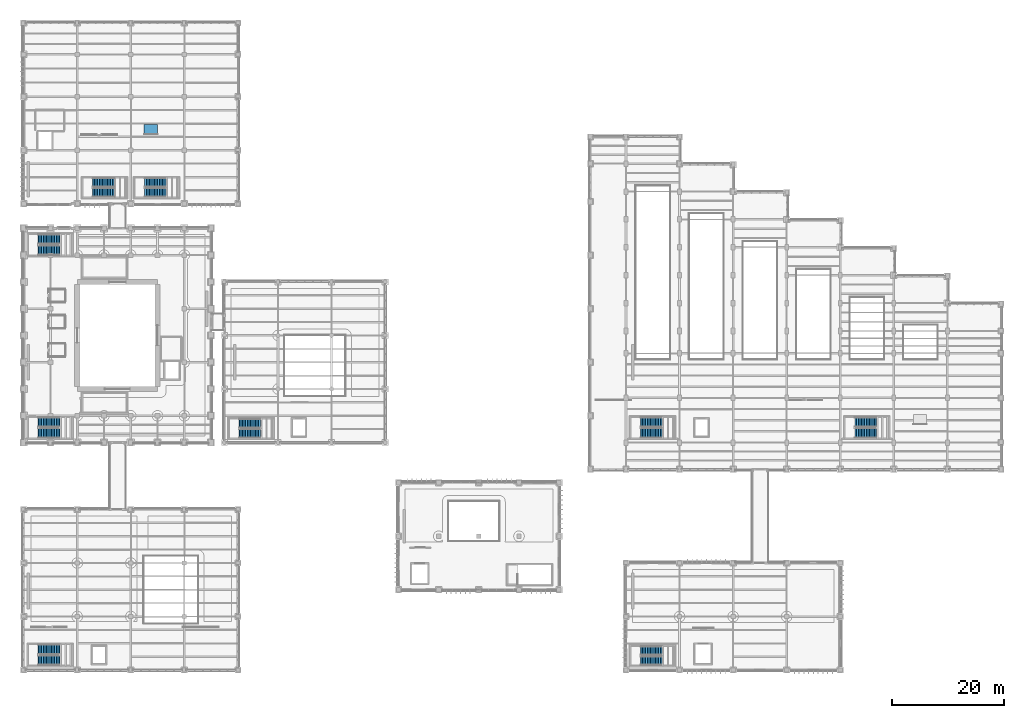
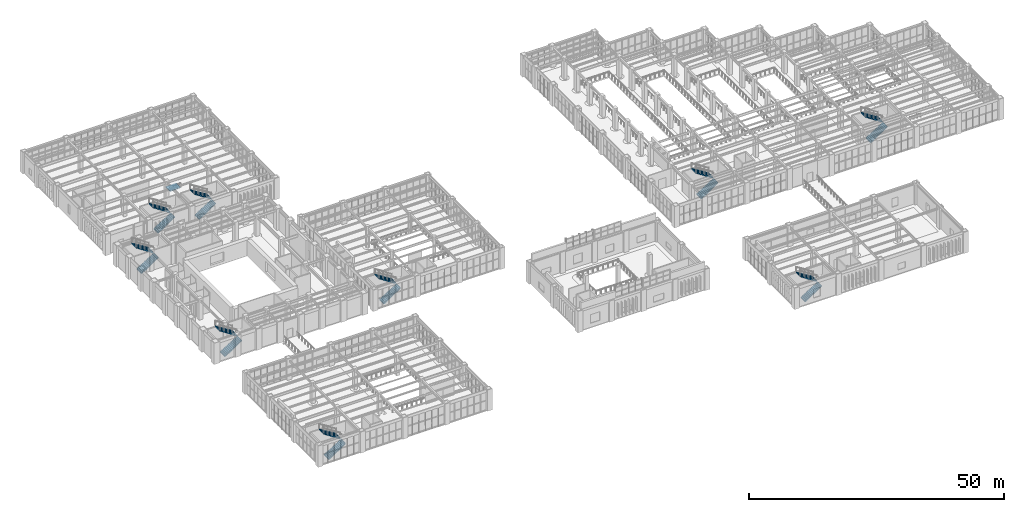
# One storey, part 147 of 174: 18 stair flights, 1 ramp flight, 10 elements without a shape of their own.
"""IFC4 building model written with IfcOpenShell, lengths in metres."""

from ifc_helpers import new_model, si_unit, direction, frame, origin, place, context, subcontext, project, spatial, polyline, outline, extrude, material, layer, layer_set, type_object, element, aggregate, save


model = new_model("IFC4")

# Units and contexts
model_context = context("Model", 3, precision=1e-05, world=origin(), true_north=direction((0.0, 1.0)))
body_context = subcontext(model_context, "Body", "Model", "MODEL_VIEW")
ifc_project = project(units=[si_unit("LENGTHUNIT", "METRE"), si_unit("AREAUNIT", "SQUARE_METRE"), si_unit("VOLUMEUNIT", "CUBIC_METRE"), si_unit("PLANEANGLEUNIT", "RADIAN"), si_unit("MASSUNIT", "GRAM", prefix="KILO")], contexts=[model_context])

# Site, building, storey
site_placement = place(None, origin())
site = spatial("IfcSite", under=ifc_project, at=site_placement, CompositionType="ELEMENT")
building_placement = place(site_placement, origin())
building = spatial("IfcBuilding", under=site, at=building_placement, Name="Mavantir Sound Aquarium", CompositionType="ELEMENT")
storey_placement = place(building_placement, frame((0.0, 0.0, 5.39990234375)))
storey = spatial("IfcBuildingStorey", under=building, at=storey_placement, Name="L01", CompositionType="ELEMENT", Elevation=5.39990234375)

# Stair, stair flights
ifc_material = material(Name="Concrete C40/50", Category="concrete")
stair_type_1 = type_object("IfcStairType", Name="STR-1650-5100", PredefinedType="HALF_TURN_STAIR", material=ifc_material)
stair_1_placement = place(storey_placement, origin())
stair_1 = element("IfcStair", 1, at=stair_1_placement, inside=storey, type_object=stair_type_1, Name="L01 Protected exit stair ST5", PredefinedType="HALF_TURN_STAIR")
stair_flight_type_1 = type_object("IfcStairFlightType", Name="STF-1650-5100", PredefinedType="STRAIGHT", material=ifc_material)
stair_flight_1_placement = place(storey_placement, frame((12.39990234375, 85.625, 0.0), z_axis=(0.0, 0.0, 1.0), x_axis=(1.0, 0.0, 0.0)))
stair_flight_1 = element("IfcStairFlight", 2, at=stair_flight_1_placement, type_object=stair_flight_type_1, Name="ST5 flight 1", NumberOfRisers=14, NumberOfTreads=13, PredefinedType="STRAIGHT", RiserHeight=0.182142857, TreadLength=0.29, context=body_context, shape_type="SweptSolid", body=[
    extrude(outline(polyline([(-0.044921875, -0.139892578125), (-0.044921875, 0.0), (0.0, 0.0), (0.0, 0.18212890625), (0.2900390625, 0.18212890625), (0.2900390625, 0.3642578125), (0.580078125, 0.3642578125), (0.580078125, 0.54638671875), (0.8701171875, 0.54638671875), (0.8701171875, 0.728515625), (1.159912109375, 0.728515625), (1.159912109375, 0.91064453125), (1.449951171875, 0.91064453125), (1.449951171875, 1.0927734375), (1.739990234375, 1.0927734375), (1.739990234375, 1.27490234375), (2.030029296875, 1.27490234375), (2.030029296875, 1.45703125), (2.320068359375, 1.45703125), (2.320068359375, 1.639404296875), (2.610107421875, 1.639404296875), (2.610107421875, 1.821533203125), (2.89990234375, 1.821533203125), (2.89990234375, 2.003662109375), (3.18994140625, 2.003662109375), (3.18994140625, 2.185791015625), (3.47998046875, 2.185791015625), (3.47998046875, 2.367919921875), (3.77001953125, 2.367919921875), (3.77001953125, 2.550048828125), (3.81494140625, 2.550048828125), (3.81494140625, 2.22998046875), (3.77001953125, 2.22998046875), (0.219482421875, -0.139892578125), (-0.044921875, -0.139892578125)])), frame((0.0, 0.824951171875, 0.0), z_axis=(0.0, -1.0, 0.0), x_axis=(1.0, 0.0, 0.0)), (0.0, 0.0, 1.0), 1.64990234375),
])
stair_flight_2_placement = place(storey_placement, frame((16.169921875, 87.425048828125, 2.550048828125), z_axis=(0.0, 0.0, 1.0), x_axis=(-1.0, 0.0, 0.0)))
stair_flight_2 = element("IfcStairFlight", 3, at=stair_flight_2_placement, type_object=stair_flight_type_1, Name="ST5 flight 2", NumberOfRisers=14, NumberOfTreads=13, PredefinedType="STRAIGHT", RiserHeight=0.182142857, TreadLength=0.29, context=body_context, shape_type="SweptSolid", body=[
    extrude(outline(polyline([(-0.044921875, -0.139892578125), (-0.044921875, 0.0), (0.0, 0.0), (0.0, 0.18212890625), (0.2900390625, 0.18212890625), (0.2900390625, 0.3642578125), (0.580078125, 0.3642578125), (0.580078125, 0.54638671875), (0.8701171875, 0.54638671875), (0.8701171875, 0.728515625), (1.159912109375, 0.728515625), (1.159912109375, 0.91064453125), (1.449951171875, 0.91064453125), (1.449951171875, 1.0927734375), (1.739990234375, 1.0927734375), (1.739990234375, 1.27490234375), (2.030029296875, 1.27490234375), (2.030029296875, 1.45703125), (2.320068359375, 1.45703125), (2.320068359375, 1.639404296875), (2.610107421875, 1.639404296875), (2.610107421875, 1.821533203125), (2.89990234375, 1.821533203125), (2.89990234375, 2.003662109375), (3.18994140625, 2.003662109375), (3.18994140625, 2.185791015625), (3.47998046875, 2.185791015625), (3.47998046875, 2.367919921875), (3.77001953125, 2.367919921875), (3.77001953125, 2.550048828125), (3.81494140625, 2.550048828125), (3.81494140625, 2.22998046875), (3.77001953125, 2.22998046875), (0.219482421875, -0.139892578125), (-0.044921875, -0.139892578125)])), frame((0.0, 0.824951171875, 0.0), z_axis=(0.0, -1.0, 0.0), x_axis=(1.0, 0.0, 0.0)), (0.0, 0.0, 1.0), 1.64990234375),
])
aggregate(stair_1, [stair_flight_1, stair_flight_2])

stair_2_placement = place(storey_placement, origin())
stair_2 = element("IfcStair", 4, at=stair_2_placement, inside=storey, type_object=stair_type_1, Name="L01 Protected exit stair ST7", PredefinedType="HALF_TURN_STAIR")
stair_flight_3_placement = place(storey_placement, frame((21.699951171875, 85.625, 0.0), z_axis=(0.0, 0.0, 1.0), x_axis=(1.0, 0.0, 0.0)))
stair_flight_3 = element("IfcStairFlight", 5, at=stair_flight_3_placement, type_object=stair_flight_type_1, Name="ST7 flight 1", NumberOfRisers=14, NumberOfTreads=13, PredefinedType="STRAIGHT", RiserHeight=0.182142857, TreadLength=0.29, context=body_context, shape_type="SweptSolid", body=[
    extrude(outline(polyline([(-0.044921875, -0.139892578125), (-0.044921875, 0.0), (0.0, 0.0), (0.0, 0.18212890625), (0.2900390625, 0.18212890625), (0.2900390625, 0.3642578125), (0.580078125, 0.3642578125), (0.580078125, 0.54638671875), (0.8701171875, 0.54638671875), (0.8701171875, 0.728515625), (1.159912109375, 0.728515625), (1.159912109375, 0.91064453125), (1.449951171875, 0.91064453125), (1.449951171875, 1.0927734375), (1.739990234375, 1.0927734375), (1.739990234375, 1.27490234375), (2.030029296875, 1.27490234375), (2.030029296875, 1.45703125), (2.320068359375, 1.45703125), (2.320068359375, 1.639404296875), (2.610107421875, 1.639404296875), (2.610107421875, 1.821533203125), (2.89990234375, 1.821533203125), (2.89990234375, 2.003662109375), (3.18994140625, 2.003662109375), (3.18994140625, 2.185791015625), (3.47998046875, 2.185791015625), (3.47998046875, 2.367919921875), (3.77001953125, 2.367919921875), (3.77001953125, 2.550048828125), (3.81494140625, 2.550048828125), (3.81494140625, 2.22998046875), (3.77001953125, 2.22998046875), (0.219482421875, -0.139892578125), (-0.044921875, -0.139892578125)])), frame((0.0, 0.824951171875, 0.0), z_axis=(0.0, -1.0, 0.0), x_axis=(1.0, 0.0, 0.0)), (0.0, 0.0, 1.0), 1.64990234375),
])
stair_flight_4_placement = place(storey_placement, frame((25.469970703125, 87.425048828125, 2.550048828125), z_axis=(0.0, 0.0, 1.0), x_axis=(-1.0, 0.0, 0.0)))
stair_flight_4 = element("IfcStairFlight", 6, at=stair_flight_4_placement, type_object=stair_flight_type_1, Name="ST7 flight 2", NumberOfRisers=14, NumberOfTreads=13, PredefinedType="STRAIGHT", RiserHeight=0.182142857, TreadLength=0.29, context=body_context, shape_type="SweptSolid", body=[
    extrude(outline(polyline([(-0.044921875, -0.139892578125), (-0.044921875, 0.0), (0.0, 0.0), (0.0, 0.18212890625), (0.2900390625, 0.18212890625), (0.2900390625, 0.3642578125), (0.580078125, 0.3642578125), (0.580078125, 0.54638671875), (0.8701171875, 0.54638671875), (0.8701171875, 0.728515625), (1.159912109375, 0.728515625), (1.159912109375, 0.91064453125), (1.449951171875, 0.91064453125), (1.449951171875, 1.0927734375), (1.739990234375, 1.0927734375), (1.739990234375, 1.27490234375), (2.030029296875, 1.27490234375), (2.030029296875, 1.45703125), (2.320068359375, 1.45703125), (2.320068359375, 1.639404296875), (2.610107421875, 1.639404296875), (2.610107421875, 1.821533203125), (2.89990234375, 1.821533203125), (2.89990234375, 2.003662109375), (3.18994140625, 2.003662109375), (3.18994140625, 2.185791015625), (3.47998046875, 2.185791015625), (3.47998046875, 2.367919921875), (3.77001953125, 2.367919921875), (3.77001953125, 2.550048828125), (3.81494140625, 2.550048828125), (3.81494140625, 2.22998046875), (3.77001953125, 2.22998046875), (0.219482421875, -0.139892578125), (-0.044921875, -0.139892578125)])), frame((0.0, 0.824951171875, 0.0), z_axis=(0.0, -1.0, 0.0), x_axis=(1.0, 0.0, 0.0)), (0.0, 0.0, 1.0), 1.64990234375),
])
aggregate(stair_2, [stair_flight_3, stair_flight_4])

stair_3_placement = place(storey_placement, origin())
stair_3 = element("IfcStair", 7, at=stair_3_placement, inside=storey, type_object=stair_type_1, Name="L01 Protected exit stair ST6", PredefinedType="HALF_TURN_STAIR")
stair_flight_5_placement = place(storey_placement, frame((110.64990234375, 1.675048828125, 0.0), z_axis=(0.0, 0.0, 1.0), x_axis=(1.0, 0.0, 0.0)))
stair_flight_5 = element("IfcStairFlight", 8, at=stair_flight_5_placement, type_object=stair_flight_type_1, Name="ST6 flight 1", NumberOfRisers=14, NumberOfTreads=13, PredefinedType="STRAIGHT", RiserHeight=0.182142857, TreadLength=0.29, context=body_context, shape_type="SweptSolid", body=[
    extrude(outline(polyline([(-0.044921875, -0.139892578125), (-0.044921875, 0.0), (0.0, 0.0), (0.0, 0.18212890625), (0.2900390625, 0.18212890625), (0.2900390625, 0.3642578125), (0.580078125, 0.3642578125), (0.580078125, 0.54638671875), (0.8701171875, 0.54638671875), (0.8701171875, 0.728515625), (1.159912109375, 0.728515625), (1.159912109375, 0.91064453125), (1.449951171875, 0.91064453125), (1.449951171875, 1.0927734375), (1.739990234375, 1.0927734375), (1.739990234375, 1.27490234375), (2.030029296875, 1.27490234375), (2.030029296875, 1.45703125), (2.320068359375, 1.45703125), (2.320068359375, 1.639404296875), (2.610107421875, 1.639404296875), (2.610107421875, 1.821533203125), (2.89990234375, 1.821533203125), (2.89990234375, 2.003662109375), (3.18994140625, 2.003662109375), (3.18994140625, 2.185791015625), (3.47998046875, 2.185791015625), (3.47998046875, 2.367919921875), (3.77001953125, 2.367919921875), (3.77001953125, 2.550048828125), (3.81494140625, 2.550048828125), (3.81494140625, 2.22998046875), (3.77001953125, 2.22998046875), (0.219482421875, -0.139892578125), (-0.044921875, -0.139892578125)])), frame((0.0, 0.824951171875, 0.0), z_axis=(0.0, -1.0, 0.0), x_axis=(1.0, 0.0, 0.0)), (0.0, 0.0, 1.0), 1.64990234375),
])
stair_flight_6_placement = place(storey_placement, frame((114.419921875, 3.47509765625, 2.550048828125), z_axis=(0.0, 0.0, 1.0), x_axis=(-1.0, 0.0, 0.0)))
stair_flight_6 = element("IfcStairFlight", 9, at=stair_flight_6_placement, type_object=stair_flight_type_1, Name="ST6 flight 2", NumberOfRisers=14, NumberOfTreads=13, PredefinedType="STRAIGHT", RiserHeight=0.182142857, TreadLength=0.29, context=body_context, shape_type="SweptSolid", body=[
    extrude(outline(polyline([(-0.044921875, -0.139892578125), (-0.044921875, 0.0), (0.0, 0.0), (0.0, 0.18212890625), (0.2900390625, 0.18212890625), (0.2900390625, 0.3642578125), (0.580078125, 0.3642578125), (0.580078125, 0.54638671875), (0.8701171875, 0.54638671875), (0.8701171875, 0.728515625), (1.159912109375, 0.728515625), (1.159912109375, 0.91064453125), (1.449951171875, 0.91064453125), (1.449951171875, 1.0927734375), (1.739990234375, 1.0927734375), (1.739990234375, 1.27490234375), (2.030029296875, 1.27490234375), (2.030029296875, 1.45703125), (2.320068359375, 1.45703125), (2.320068359375, 1.639404296875), (2.610107421875, 1.639404296875), (2.610107421875, 1.821533203125), (2.89990234375, 1.821533203125), (2.89990234375, 2.003662109375), (3.18994140625, 2.003662109375), (3.18994140625, 2.185791015625), (3.47998046875, 2.185791015625), (3.47998046875, 2.367919921875), (3.77001953125, 2.367919921875), (3.77001953125, 2.550048828125), (3.81494140625, 2.550048828125), (3.81494140625, 2.22998046875), (3.77001953125, 2.22998046875), (0.219482421875, -0.139892578125), (-0.044921875, -0.139892578125)])), frame((0.0, 0.824951171875, 0.0), z_axis=(0.0, -1.0, 0.0), x_axis=(1.0, 0.0, 0.0)), (0.0, 0.0, 1.0), 1.64990234375),
])
aggregate(stair_3, [stair_flight_5, stair_flight_6])

stair_4_placement = place(storey_placement, origin())
stair_4 = element("IfcStair", 10, at=stair_4_placement, inside=storey, type_object=stair_type_1, Name="L01 Protected exit stair ST8", PredefinedType="HALF_TURN_STAIR")
stair_flight_7_placement = place(storey_placement, frame((38.64990234375, 42.425048828125, 0.0), z_axis=(0.0, 0.0, 1.0), x_axis=(1.0, 0.0, 0.0)))
stair_flight_7 = element("IfcStairFlight", 11, at=stair_flight_7_placement, type_object=stair_flight_type_1, Name="ST8 flight 1", NumberOfRisers=14, NumberOfTreads=13, PredefinedType="STRAIGHT", RiserHeight=0.182142857, TreadLength=0.29, context=body_context, shape_type="SweptSolid", body=[
    extrude(outline(polyline([(-0.044921875, -0.139892578125), (-0.044921875, 0.0), (0.0, 0.0), (0.0, 0.18212890625), (0.2900390625, 0.18212890625), (0.2900390625, 0.3642578125), (0.580078125, 0.3642578125), (0.580078125, 0.54638671875), (0.8701171875, 0.54638671875), (0.8701171875, 0.728515625), (1.159912109375, 0.728515625), (1.159912109375, 0.91064453125), (1.449951171875, 0.91064453125), (1.449951171875, 1.0927734375), (1.739990234375, 1.0927734375), (1.739990234375, 1.27490234375), (2.030029296875, 1.27490234375), (2.030029296875, 1.45703125), (2.320068359375, 1.45703125), (2.320068359375, 1.639404296875), (2.610107421875, 1.639404296875), (2.610107421875, 1.821533203125), (2.89990234375, 1.821533203125), (2.89990234375, 2.003662109375), (3.18994140625, 2.003662109375), (3.18994140625, 2.185791015625), (3.47998046875, 2.185791015625), (3.47998046875, 2.367919921875), (3.77001953125, 2.367919921875), (3.77001953125, 2.550048828125), (3.81494140625, 2.550048828125), (3.81494140625, 2.22998046875), (3.77001953125, 2.22998046875), (0.219482421875, -0.139892578125), (-0.044921875, -0.139892578125)])), frame((0.0, 0.824951171875, 0.0), z_axis=(0.0, -1.0, 0.0), x_axis=(1.0, 0.0, 0.0)), (0.0, 0.0, 1.0), 1.64990234375),
])
stair_flight_8_placement = place(storey_placement, frame((42.419921875, 44.22509765625, 2.550048828125), z_axis=(0.0, 0.0, 1.0), x_axis=(-1.0, 0.0, 0.0)))
stair_flight_8 = element("IfcStairFlight", 12, at=stair_flight_8_placement, type_object=stair_flight_type_1, Name="ST8 flight 2", NumberOfRisers=14, NumberOfTreads=13, PredefinedType="STRAIGHT", RiserHeight=0.182142857, TreadLength=0.29, context=body_context, shape_type="SweptSolid", body=[
    extrude(outline(polyline([(-0.044921875, -0.139892578125), (-0.044921875, 0.0), (0.0, 0.0), (0.0, 0.18212890625), (0.2900390625, 0.18212890625), (0.2900390625, 0.3642578125), (0.580078125, 0.3642578125), (0.580078125, 0.54638671875), (0.8701171875, 0.54638671875), (0.8701171875, 0.728515625), (1.159912109375, 0.728515625), (1.159912109375, 0.91064453125), (1.449951171875, 0.91064453125), (1.449951171875, 1.0927734375), (1.739990234375, 1.0927734375), (1.739990234375, 1.27490234375), (2.030029296875, 1.27490234375), (2.030029296875, 1.45703125), (2.320068359375, 1.45703125), (2.320068359375, 1.639404296875), (2.610107421875, 1.639404296875), (2.610107421875, 1.821533203125), (2.89990234375, 1.821533203125), (2.89990234375, 2.003662109375), (3.18994140625, 2.003662109375), (3.18994140625, 2.185791015625), (3.47998046875, 2.185791015625), (3.47998046875, 2.367919921875), (3.77001953125, 2.367919921875), (3.77001953125, 2.550048828125), (3.81494140625, 2.550048828125), (3.81494140625, 2.22998046875), (3.77001953125, 2.22998046875), (0.219482421875, -0.139892578125), (-0.044921875, -0.139892578125)])), frame((0.0, 0.824951171875, 0.0), z_axis=(0.0, -1.0, 0.0), x_axis=(1.0, 0.0, 0.0)), (0.0, 0.0, 1.0), 1.64990234375),
])
aggregate(stair_4, [stair_flight_7, stair_flight_8])

stair_type_2 = type_object("IfcStairType", Name="STR-1800-5100", PredefinedType="HALF_TURN_STAIR", material=ifc_material)
stair_5_placement = place(storey_placement, origin())
stair_5 = element("IfcStair", 13, at=stair_5_placement, inside=storey, type_object=stair_type_2, Name="L01 Protected exit stair ST1", PredefinedType="HALF_TURN_STAIR")
stair_flight_type_2 = type_object("IfcStairFlightType", Name="STF-1800-5100", PredefinedType="STRAIGHT", material=ifc_material)
stair_flight_9_placement = place(storey_placement, frame((2.64990234375, 42.5, 0.0), z_axis=(0.0, 0.0, 1.0), x_axis=(1.0, 0.0, 0.0)))
stair_flight_9 = element("IfcStairFlight", 14, at=stair_flight_9_placement, type_object=stair_flight_type_2, Name="ST1 flight 1", NumberOfRisers=14, NumberOfTreads=13, PredefinedType="STRAIGHT", RiserHeight=0.182142857, TreadLength=0.29, context=body_context, shape_type="SweptSolid", body=[
    extrude(outline(polyline([(-0.044921875, -0.139892578125), (-0.044921875, 0.0), (0.0, 0.0), (0.0, 0.18212890625), (0.2900390625, 0.18212890625), (0.2900390625, 0.3642578125), (0.580078125, 0.3642578125), (0.580078125, 0.54638671875), (0.8701171875, 0.54638671875), (0.8701171875, 0.728515625), (1.159912109375, 0.728515625), (1.159912109375, 0.91064453125), (1.449951171875, 0.91064453125), (1.449951171875, 1.0927734375), (1.739990234375, 1.0927734375), (1.739990234375, 1.27490234375), (2.030029296875, 1.27490234375), (2.030029296875, 1.45703125), (2.320068359375, 1.45703125), (2.320068359375, 1.639404296875), (2.610107421875, 1.639404296875), (2.610107421875, 1.821533203125), (2.89990234375, 1.821533203125), (2.89990234375, 2.003662109375), (3.18994140625, 2.003662109375), (3.18994140625, 2.185791015625), (3.47998046875, 2.185791015625), (3.47998046875, 2.367919921875), (3.77001953125, 2.367919921875), (3.77001953125, 2.550048828125), (3.81494140625, 2.550048828125), (3.81494140625, 2.22998046875), (3.77001953125, 2.22998046875), (0.219482421875, -0.139892578125), (-0.044921875, -0.139892578125)])), frame((0.0, 0.89990234375, 0.0), z_axis=(0.0, -1.0, 0.0), x_axis=(1.0, 0.0, 0.0)), (0.0, 0.0, 1.0), 1.800048828125),
])
stair_flight_10_placement = place(storey_placement, frame((6.419921875, 44.449951171875, 2.550048828125), z_axis=(0.0, 0.0, 1.0), x_axis=(-1.0, 0.0, 0.0)))
stair_flight_10 = element("IfcStairFlight", 15, at=stair_flight_10_placement, type_object=stair_flight_type_2, Name="ST1 flight 2", NumberOfRisers=14, NumberOfTreads=13, PredefinedType="STRAIGHT", RiserHeight=0.182142857, TreadLength=0.29, context=body_context, shape_type="SweptSolid", body=[
    extrude(outline(polyline([(-0.044921875, -0.139892578125), (-0.044921875, 0.0), (0.0, 0.0), (0.0, 0.18212890625), (0.2900390625, 0.18212890625), (0.2900390625, 0.3642578125), (0.580078125, 0.3642578125), (0.580078125, 0.54638671875), (0.8701171875, 0.54638671875), (0.8701171875, 0.728515625), (1.159912109375, 0.728515625), (1.159912109375, 0.91064453125), (1.449951171875, 0.91064453125), (1.449951171875, 1.0927734375), (1.739990234375, 1.0927734375), (1.739990234375, 1.27490234375), (2.030029296875, 1.27490234375), (2.030029296875, 1.45703125), (2.320068359375, 1.45703125), (2.320068359375, 1.639404296875), (2.610107421875, 1.639404296875), (2.610107421875, 1.821533203125), (2.89990234375, 1.821533203125), (2.89990234375, 2.003662109375), (3.18994140625, 2.003662109375), (3.18994140625, 2.185791015625), (3.47998046875, 2.185791015625), (3.47998046875, 2.367919921875), (3.77001953125, 2.367919921875), (3.77001953125, 2.550048828125), (3.81494140625, 2.550048828125), (3.81494140625, 2.22998046875), (3.77001953125, 2.22998046875), (0.219482421875, -0.139892578125), (-0.044921875, -0.139892578125)])), frame((0.0, 0.89990234375, 0.0), z_axis=(0.0, -1.0, 0.0), x_axis=(1.0, 0.0, 0.0)), (0.0, 0.0, 1.0), 1.800048828125),
])
aggregate(stair_5, [stair_flight_9, stair_flight_10])

stair_6_placement = place(storey_placement, origin())
stair_6 = element("IfcStair", 16, at=stair_6_placement, inside=storey, type_object=stair_type_2, Name="L01 Protected exit stair ST2", PredefinedType="HALF_TURN_STAIR")
stair_flight_11_placement = place(storey_placement, frame((2.64990234375, 75.300048828125, 0.0), z_axis=(0.0, 0.0, 1.0), x_axis=(1.0, 0.0, 0.0)))
stair_flight_11 = element("IfcStairFlight", 17, at=stair_flight_11_placement, type_object=stair_flight_type_2, Name="ST2 flight 1", NumberOfRisers=14, NumberOfTreads=13, PredefinedType="STRAIGHT", RiserHeight=0.182142857, TreadLength=0.29, context=body_context, shape_type="SweptSolid", body=[
    extrude(outline(polyline([(-0.044921875, -0.139892578125), (-0.044921875, 0.0), (0.0, 0.0), (0.0, 0.18212890625), (0.2900390625, 0.18212890625), (0.2900390625, 0.3642578125), (0.580078125, 0.3642578125), (0.580078125, 0.54638671875), (0.8701171875, 0.54638671875), (0.8701171875, 0.728515625), (1.159912109375, 0.728515625), (1.159912109375, 0.91064453125), (1.449951171875, 0.91064453125), (1.449951171875, 1.0927734375), (1.739990234375, 1.0927734375), (1.739990234375, 1.27490234375), (2.030029296875, 1.27490234375), (2.030029296875, 1.45703125), (2.320068359375, 1.45703125), (2.320068359375, 1.639404296875), (2.610107421875, 1.639404296875), (2.610107421875, 1.821533203125), (2.89990234375, 1.821533203125), (2.89990234375, 2.003662109375), (3.18994140625, 2.003662109375), (3.18994140625, 2.185791015625), (3.47998046875, 2.185791015625), (3.47998046875, 2.367919921875), (3.77001953125, 2.367919921875), (3.77001953125, 2.550048828125), (3.81494140625, 2.550048828125), (3.81494140625, 2.22998046875), (3.77001953125, 2.22998046875), (0.219482421875, -0.139892578125), (-0.044921875, -0.139892578125)])), frame((0.0, 0.89990234375, 0.0), z_axis=(0.0, -1.0, 0.0), x_axis=(1.0, 0.0, 0.0)), (0.0, 0.0, 1.0), 1.800048828125),
])
stair_flight_12_placement = place(storey_placement, frame((6.419921875, 77.25, 2.550048828125), z_axis=(0.0, 0.0, 1.0), x_axis=(-1.0, 0.0, 0.0)))
stair_flight_12 = element("IfcStairFlight", 18, at=stair_flight_12_placement, type_object=stair_flight_type_2, Name="ST2 flight 2", NumberOfRisers=14, NumberOfTreads=13, PredefinedType="STRAIGHT", RiserHeight=0.182142857, TreadLength=0.29, context=body_context, shape_type="SweptSolid", body=[
    extrude(outline(polyline([(-0.044921875, -0.139892578125), (-0.044921875, 0.0), (0.0, 0.0), (0.0, 0.18212890625), (0.2900390625, 0.18212890625), (0.2900390625, 0.3642578125), (0.580078125, 0.3642578125), (0.580078125, 0.54638671875), (0.8701171875, 0.54638671875), (0.8701171875, 0.728515625), (1.159912109375, 0.728515625), (1.159912109375, 0.91064453125), (1.449951171875, 0.91064453125), (1.449951171875, 1.0927734375), (1.739990234375, 1.0927734375), (1.739990234375, 1.27490234375), (2.030029296875, 1.27490234375), (2.030029296875, 1.45703125), (2.320068359375, 1.45703125), (2.320068359375, 1.639404296875), (2.610107421875, 1.639404296875), (2.610107421875, 1.821533203125), (2.89990234375, 1.821533203125), (2.89990234375, 2.003662109375), (3.18994140625, 2.003662109375), (3.18994140625, 2.185791015625), (3.47998046875, 2.185791015625), (3.47998046875, 2.367919921875), (3.77001953125, 2.367919921875), (3.77001953125, 2.550048828125), (3.81494140625, 2.550048828125), (3.81494140625, 2.22998046875), (3.77001953125, 2.22998046875), (0.219482421875, -0.139892578125), (-0.044921875, -0.139892578125)])), frame((0.0, 0.89990234375, 0.0), z_axis=(0.0, -1.0, 0.0), x_axis=(1.0, 0.0, 0.0)), (0.0, 0.0, 1.0), 1.800048828125),
])
aggregate(stair_6, [stair_flight_11, stair_flight_12])

stair_7_placement = place(storey_placement, origin())
stair_7 = element("IfcStair", 19, at=stair_7_placement, inside=storey, type_object=stair_type_2, Name="L01 Protected exit stair ST3", PredefinedType="HALF_TURN_STAIR")
stair_flight_13_placement = place(storey_placement, frame((2.64990234375, 1.75, 0.0), z_axis=(0.0, 0.0, 1.0), x_axis=(1.0, 0.0, 0.0)))
stair_flight_13 = element("IfcStairFlight", 20, at=stair_flight_13_placement, type_object=stair_flight_type_2, Name="ST3 flight 1", NumberOfRisers=14, NumberOfTreads=13, PredefinedType="STRAIGHT", RiserHeight=0.182142857, TreadLength=0.29, context=body_context, shape_type="SweptSolid", body=[
    extrude(outline(polyline([(-0.044921875, -0.139892578125), (-0.044921875, 0.0), (0.0, 0.0), (0.0, 0.18212890625), (0.2900390625, 0.18212890625), (0.2900390625, 0.3642578125), (0.580078125, 0.3642578125), (0.580078125, 0.54638671875), (0.8701171875, 0.54638671875), (0.8701171875, 0.728515625), (1.159912109375, 0.728515625), (1.159912109375, 0.91064453125), (1.449951171875, 0.91064453125), (1.449951171875, 1.0927734375), (1.739990234375, 1.0927734375), (1.739990234375, 1.27490234375), (2.030029296875, 1.27490234375), (2.030029296875, 1.45703125), (2.320068359375, 1.45703125), (2.320068359375, 1.639404296875), (2.610107421875, 1.639404296875), (2.610107421875, 1.821533203125), (2.89990234375, 1.821533203125), (2.89990234375, 2.003662109375), (3.18994140625, 2.003662109375), (3.18994140625, 2.185791015625), (3.47998046875, 2.185791015625), (3.47998046875, 2.367919921875), (3.77001953125, 2.367919921875), (3.77001953125, 2.550048828125), (3.81494140625, 2.550048828125), (3.81494140625, 2.22998046875), (3.77001953125, 2.22998046875), (0.219482421875, -0.139892578125), (-0.044921875, -0.139892578125)])), frame((0.0, 0.89990234375, 0.0), z_axis=(0.0, -1.0, 0.0), x_axis=(1.0, 0.0, 0.0)), (0.0, 0.0, 1.0), 1.800048828125),
])
stair_flight_14_placement = place(storey_placement, frame((6.419921875, 3.699951171875, 2.550048828125), z_axis=(0.0, 0.0, 1.0), x_axis=(-1.0, 0.0, 0.0)))
stair_flight_14 = element("IfcStairFlight", 21, at=stair_flight_14_placement, type_object=stair_flight_type_2, Name="ST3 flight 2", NumberOfRisers=14, NumberOfTreads=13, PredefinedType="STRAIGHT", RiserHeight=0.182142857, TreadLength=0.29, context=body_context, shape_type="SweptSolid", body=[
    extrude(outline(polyline([(-0.044921875, -0.139892578125), (-0.044921875, 0.0), (0.0, 0.0), (0.0, 0.18212890625), (0.2900390625, 0.18212890625), (0.2900390625, 0.3642578125), (0.580078125, 0.3642578125), (0.580078125, 0.54638671875), (0.8701171875, 0.54638671875), (0.8701171875, 0.728515625), (1.159912109375, 0.728515625), (1.159912109375, 0.91064453125), (1.449951171875, 0.91064453125), (1.449951171875, 1.0927734375), (1.739990234375, 1.0927734375), (1.739990234375, 1.27490234375), (2.030029296875, 1.27490234375), (2.030029296875, 1.45703125), (2.320068359375, 1.45703125), (2.320068359375, 1.639404296875), (2.610107421875, 1.639404296875), (2.610107421875, 1.821533203125), (2.89990234375, 1.821533203125), (2.89990234375, 2.003662109375), (3.18994140625, 2.003662109375), (3.18994140625, 2.185791015625), (3.47998046875, 2.185791015625), (3.47998046875, 2.367919921875), (3.77001953125, 2.367919921875), (3.77001953125, 2.550048828125), (3.81494140625, 2.550048828125), (3.81494140625, 2.22998046875), (3.77001953125, 2.22998046875), (0.219482421875, -0.139892578125), (-0.044921875, -0.139892578125)])), frame((0.0, 0.89990234375, 0.0), z_axis=(0.0, -1.0, 0.0), x_axis=(1.0, 0.0, 0.0)), (0.0, 0.0, 1.0), 1.800048828125),
])
aggregate(stair_7, [stair_flight_13, stair_flight_14])

stair_8_placement = place(storey_placement, origin())
stair_8 = element("IfcStair", 22, at=stair_8_placement, inside=storey, type_object=stair_type_2, Name="L01 Protected exit stair ST4", PredefinedType="HALF_TURN_STAIR")
stair_flight_15_placement = place(storey_placement, frame((110.64990234375, 42.5, 0.0), z_axis=(0.0, 0.0, 1.0), x_axis=(1.0, 0.0, 0.0)))
stair_flight_15 = element("IfcStairFlight", 23, at=stair_flight_15_placement, type_object=stair_flight_type_2, Name="ST4 flight 1", NumberOfRisers=14, NumberOfTreads=13, PredefinedType="STRAIGHT", RiserHeight=0.182142857, TreadLength=0.29, context=body_context, shape_type="SweptSolid", body=[
    extrude(outline(polyline([(-0.044921875, -0.139892578125), (-0.044921875, 0.0), (0.0, 0.0), (0.0, 0.18212890625), (0.2900390625, 0.18212890625), (0.2900390625, 0.3642578125), (0.580078125, 0.3642578125), (0.580078125, 0.54638671875), (0.8701171875, 0.54638671875), (0.8701171875, 0.728515625), (1.159912109375, 0.728515625), (1.159912109375, 0.91064453125), (1.449951171875, 0.91064453125), (1.449951171875, 1.0927734375), (1.739990234375, 1.0927734375), (1.739990234375, 1.27490234375), (2.030029296875, 1.27490234375), (2.030029296875, 1.45703125), (2.320068359375, 1.45703125), (2.320068359375, 1.639404296875), (2.610107421875, 1.639404296875), (2.610107421875, 1.821533203125), (2.89990234375, 1.821533203125), (2.89990234375, 2.003662109375), (3.18994140625, 2.003662109375), (3.18994140625, 2.185791015625), (3.47998046875, 2.185791015625), (3.47998046875, 2.367919921875), (3.77001953125, 2.367919921875), (3.77001953125, 2.550048828125), (3.81494140625, 2.550048828125), (3.81494140625, 2.22998046875), (3.77001953125, 2.22998046875), (0.219482421875, -0.139892578125), (-0.044921875, -0.139892578125)])), frame((0.0, 0.89990234375, 0.0), z_axis=(0.0, -1.0, 0.0), x_axis=(1.0, 0.0, 0.0)), (0.0, 0.0, 1.0), 1.800048828125),
])
stair_flight_16_placement = place(storey_placement, frame((114.419921875, 44.449951171875, 2.550048828125), z_axis=(0.0, 0.0, 1.0), x_axis=(-1.0, 0.0, 0.0)))
stair_flight_16 = element("IfcStairFlight", 24, at=stair_flight_16_placement, type_object=stair_flight_type_2, Name="ST4 flight 2", NumberOfRisers=14, NumberOfTreads=13, PredefinedType="STRAIGHT", RiserHeight=0.182142857, TreadLength=0.29, context=body_context, shape_type="SweptSolid", body=[
    extrude(outline(polyline([(-0.044921875, -0.139892578125), (-0.044921875, 0.0), (0.0, 0.0), (0.0, 0.18212890625), (0.2900390625, 0.18212890625), (0.2900390625, 0.3642578125), (0.580078125, 0.3642578125), (0.580078125, 0.54638671875), (0.8701171875, 0.54638671875), (0.8701171875, 0.728515625), (1.159912109375, 0.728515625), (1.159912109375, 0.91064453125), (1.449951171875, 0.91064453125), (1.449951171875, 1.0927734375), (1.739990234375, 1.0927734375), (1.739990234375, 1.27490234375), (2.030029296875, 1.27490234375), (2.030029296875, 1.45703125), (2.320068359375, 1.45703125), (2.320068359375, 1.639404296875), (2.610107421875, 1.639404296875), (2.610107421875, 1.821533203125), (2.89990234375, 1.821533203125), (2.89990234375, 2.003662109375), (3.18994140625, 2.003662109375), (3.18994140625, 2.185791015625), (3.47998046875, 2.185791015625), (3.47998046875, 2.367919921875), (3.77001953125, 2.367919921875), (3.77001953125, 2.550048828125), (3.81494140625, 2.550048828125), (3.81494140625, 2.22998046875), (3.77001953125, 2.22998046875), (0.219482421875, -0.139892578125), (-0.044921875, -0.139892578125)])), frame((0.0, 0.89990234375, 0.0), z_axis=(0.0, -1.0, 0.0), x_axis=(1.0, 0.0, 0.0)), (0.0, 0.0, 1.0), 1.800048828125),
])
aggregate(stair_8, [stair_flight_15, stair_flight_16])

stair_9_placement = place(storey_placement, origin())
stair_9 = element("IfcStair", 25, at=stair_9_placement, inside=storey, type_object=stair_type_2, Name="L01 Protected exit stair ST12", PredefinedType="HALF_TURN_STAIR")
stair_flight_17_placement = place(storey_placement, frame((149.050048828125, 42.5, 0.0), z_axis=(0.0, 0.0, 1.0), x_axis=(1.0, 0.0, 0.0)))
stair_flight_17 = element("IfcStairFlight", 26, at=stair_flight_17_placement, type_object=stair_flight_type_2, Name="ST12 flight 1", NumberOfRisers=14, NumberOfTreads=13, PredefinedType="STRAIGHT", RiserHeight=0.182142857, TreadLength=0.29, context=body_context, shape_type="SweptSolid", body=[
    extrude(outline(polyline([(-0.044921875, -0.139892578125), (-0.044921875, 0.0), (0.0, 0.0), (0.0, 0.18212890625), (0.2900390625, 0.18212890625), (0.2900390625, 0.3642578125), (0.580078125, 0.3642578125), (0.580078125, 0.54638671875), (0.8701171875, 0.54638671875), (0.8701171875, 0.728515625), (1.159912109375, 0.728515625), (1.159912109375, 0.91064453125), (1.449951171875, 0.91064453125), (1.449951171875, 1.0927734375), (1.739990234375, 1.0927734375), (1.739990234375, 1.27490234375), (2.030029296875, 1.27490234375), (2.030029296875, 1.45703125), (2.320068359375, 1.45703125), (2.320068359375, 1.639404296875), (2.610107421875, 1.639404296875), (2.610107421875, 1.821533203125), (2.89990234375, 1.821533203125), (2.89990234375, 2.003662109375), (3.18994140625, 2.003662109375), (3.18994140625, 2.185791015625), (3.47998046875, 2.185791015625), (3.47998046875, 2.367919921875), (3.77001953125, 2.367919921875), (3.77001953125, 2.550048828125), (3.81494140625, 2.550048828125), (3.81494140625, 2.22998046875), (3.77001953125, 2.22998046875), (0.219482421875, -0.139892578125), (-0.044921875, -0.139892578125)])), frame((0.0, 0.89990234375, 0.0), z_axis=(0.0, -1.0, 0.0), x_axis=(1.0, 0.0, 0.0)), (0.0, 0.0, 1.0), 1.800048828125),
])
stair_flight_18_placement = place(storey_placement, frame((152.820068359375, 44.449951171875, 2.550048828125), z_axis=(0.0, 0.0, 1.0), x_axis=(-1.0, 0.0, 0.0)))
stair_flight_18 = element("IfcStairFlight", 27, at=stair_flight_18_placement, type_object=stair_flight_type_2, Name="ST12 flight 2", NumberOfRisers=14, NumberOfTreads=13, PredefinedType="STRAIGHT", RiserHeight=0.182142857, TreadLength=0.29, context=body_context, shape_type="SweptSolid", body=[
    extrude(outline(polyline([(-0.044921875, -0.139892578125), (-0.044921875, 0.0), (0.0, 0.0), (0.0, 0.18212890625), (0.2900390625, 0.18212890625), (0.2900390625, 0.3642578125), (0.580078125, 0.3642578125), (0.580078125, 0.54638671875), (0.8701171875, 0.54638671875), (0.8701171875, 0.728515625), (1.159912109375, 0.728515625), (1.159912109375, 0.91064453125), (1.449951171875, 0.91064453125), (1.449951171875, 1.0927734375), (1.739990234375, 1.0927734375), (1.739990234375, 1.27490234375), (2.030029296875, 1.27490234375), (2.030029296875, 1.45703125), (2.320068359375, 1.45703125), (2.320068359375, 1.639404296875), (2.610107421875, 1.639404296875), (2.610107421875, 1.821533203125), (2.89990234375, 1.821533203125), (2.89990234375, 2.003662109375), (3.18994140625, 2.003662109375), (3.18994140625, 2.185791015625), (3.47998046875, 2.185791015625), (3.47998046875, 2.367919921875), (3.77001953125, 2.367919921875), (3.77001953125, 2.550048828125), (3.81494140625, 2.550048828125), (3.81494140625, 2.22998046875), (3.77001953125, 2.22998046875), (0.219482421875, -0.139892578125), (-0.044921875, -0.139892578125)])), frame((0.0, 0.89990234375, 0.0), z_axis=(0.0, -1.0, 0.0), x_axis=(1.0, 0.0, 0.0)), (0.0, 0.0, 1.0), 1.800048828125),
])
aggregate(stair_9, [stair_flight_17, stair_flight_18])

# Ramp, ramp flight
ramp_type = type_object("IfcRampType", Name="RMP-PED", PredefinedType="STRAIGHT_RUN_RAMP", material=ifc_material)
ramp_placement = place(storey_placement, origin())
ramp = element("IfcRamp", 28, at=ramp_placement, inside=storey, type_object=ramp_type, Name="L01 accessible gallery ramp 4", PredefinedType="STRAIGHT_RUN_RAMP")
ifc_layer = layer(ifc_material, 0.159912109375, Name="Concrete C40/50")
ifc_layer_set = layer_set([ifc_layer], Name="Concrete C40/50")
ramp_flight_type = type_object("IfcRampFlightType", Name="RMPF-PED", PredefinedType="STRAIGHT", material=ifc_layer_set)
ramp_flight_placement = place(storey_placement, frame((21.60009765625, 96.0, -0.059814453125), z_axis=(-0.024915965365, 0.0, 0.999689549145), x_axis=(0.999689549145, 0.0, 0.024915965365)))
ramp_flight = element("IfcRampFlight", 29, at=ramp_flight_placement, type_object=ramp_flight_type, Name="L01 accessible gallery ramp flight 4", PredefinedType="STRAIGHT", context=body_context, shape_type="SweptSolid", body=[
    extrude(outline(polyline([(0.0, 0.0), (2.400647626858092, 0.0), (2.400647626858092, 1.800048828125), (0.0, 1.800048828125), (0.0, 0.0)])), origin(), (0.0, 0.0, -1.0), 0.159912109375),
])
aggregate(ramp, [ramp_flight])

save(model, "model.ifc")
